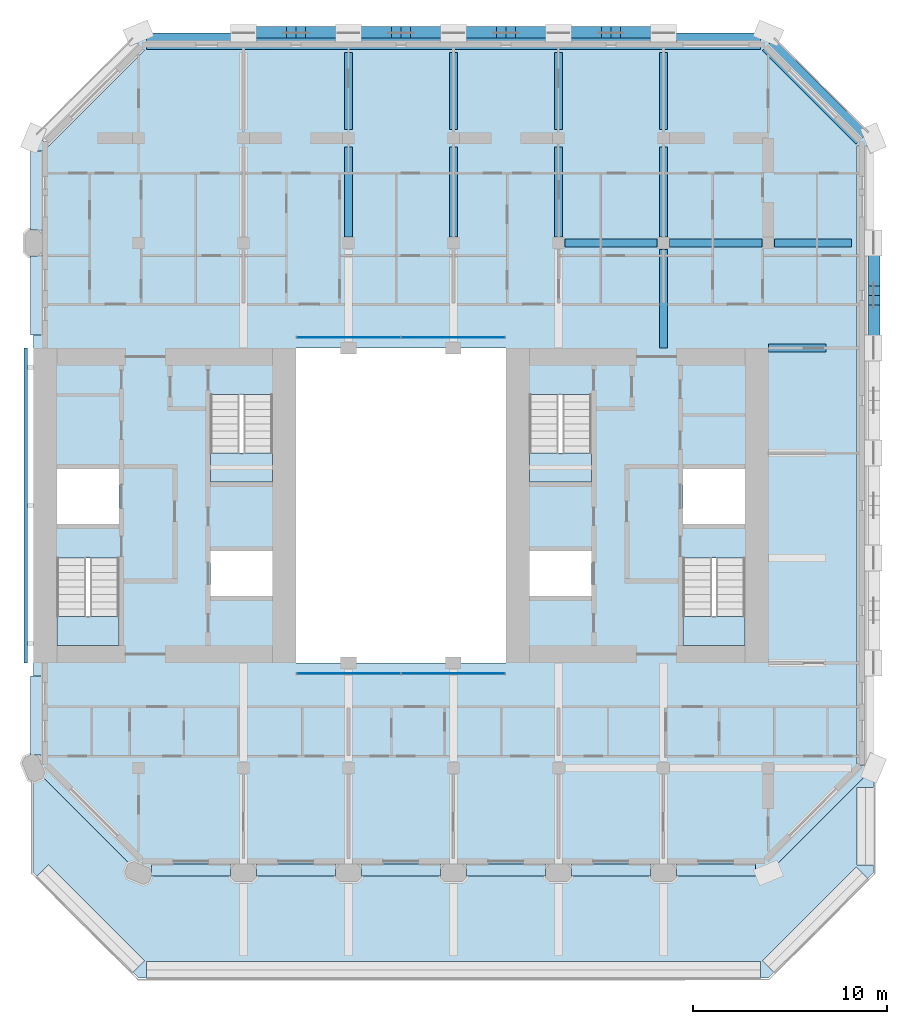
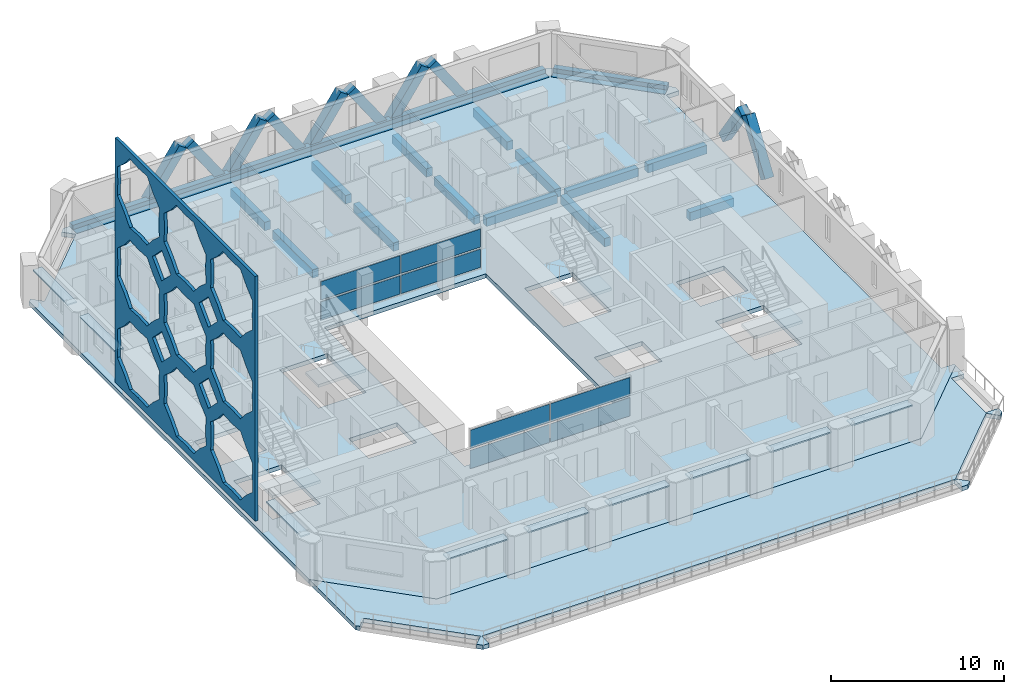
# One storey, part 7 of 17: 18 plates, 17 beams, 10 members, 6 slabs, 6 elements without a shape of their own.
"""IFC4 building model written with IfcOpenShell, lengths in metres."""

from ifc_helpers import new_model, si_unit, direction, frame, origin, origin_2d, place, context, subcontext, project, spatial, polyline, rectangle, outline, extrude, material, layer, layer_set, material_profile, profile_set, type_object, element, aggregate, save


model = new_model("IFC4")

# Units and contexts
model_context = context("Model", 3, precision=1e-05, world=origin(), true_north=direction((0.0, 1.0)))
body_context = subcontext(model_context, "Body", "Model", "MODEL_VIEW")
ifc_project = project(units=[si_unit("LENGTHUNIT", "METRE"), si_unit("AREAUNIT", "SQUARE_METRE"), si_unit("VOLUMEUNIT", "CUBIC_METRE"), si_unit("PLANEANGLEUNIT", "RADIAN"), si_unit("MASSUNIT", "GRAM", prefix="KILO")], contexts=[model_context])

# Site, building, storey
site_placement = place(None, origin())
site = spatial("IfcSite", under=ifc_project, at=site_placement, CompositionType="ELEMENT")
building_placement = place(site_placement, origin())
building = spatial("IfcBuilding", under=site, at=building_placement, Name="Tabaq Tower and Sports Hall", CompositionType="ELEMENT")
storey_placement = place(building_placement, frame((0.0, 0.0, 288.39990234375)))
storey = spatial("IfcBuildingStorey", under=building, at=storey_placement, Name="L71", CompositionType="ELEMENT", Elevation=288.39990234375)

# Beams
ifc_material_1 = material(Name="Concrete C40/50", Category="concrete")
ifc_material_profile_1 = material_profile(ifc_material_1, rectangle(XDim=0.39990234375, YDim=0.60009765625, at=origin_2d()), Name="CB 400x600")
ifc_profile_set_1 = profile_set([ifc_material_profile_1], Name="Concrete C40/50")
beam_type_1 = type_object("IfcBeamType", Name="PT CANTILEVER BEAM CB 400x600 C40/50", PredefinedType="BEAM", material=ifc_profile_set_1)
beam_1_placement = place(storey_placement, frame((46.14990234375, 32.39990234375, -0.599853515625), z_axis=(-1.0, 0.0, 0.0), x_axis=(0.0, -1.0, 0.0)))
element("IfcBeam", 1, at=beam_1_placement, inside=storey, type_object=beam_type_1, Name="Cantilever Beam L71 E6 span 1", PredefinedType="BEAM", context=body_context, shape_type="SweptSolid", body=[
    extrude(rectangle(XDim=0.39990234375, YDim=0.60009765625, at=origin_2d()), origin(), (0.0, 0.0, 1.0), 2.949951171875),
])
beam_2_placement = place(storey_placement, frame((47.47509765625, 37.800048828125, -0.599853515625), z_axis=(-1.0, 0.0, 0.0), x_axis=(0.0, -1.0, 0.0)))
element("IfcBeam", 2, at=beam_2_placement, inside=storey, type_object=beam_type_1, Name="Cantilever Beam L71 E7 span 1", PredefinedType="BEAM", context=body_context, shape_type="SweptSolid", body=[
    extrude(rectangle(XDim=0.39990234375, YDim=0.60009765625, at=origin_2d()), origin(), (0.0, 0.0, 1.0), 3.9501953125),
])
for number, where, z_axis, x_axis, name in (
    (3, (42.875, 37.800048828125, -0.599853515625), (-1.0, 0.0, 0.0), (0.0, -1.0, 0.0), "Cantilever Beam L71 E7 span 2"),
    (4, (37.47509765625, 37.800048828125, -0.599853515625), (-1.0, 0.0, 0.0), (0.0, -1.0, 0.0), "Cantilever Beam L71 E7 span 3"),
):
    element("IfcBeam", number, at=place(storey_placement, frame(where, z_axis=z_axis, x_axis=x_axis)), inside=storey, type_object=beam_type_1, Name=name, PredefinedType="BEAM", context=body_context, shape_type="SweptSolid", body=[
        extrude(rectangle(XDim=0.39990234375, YDim=0.60009765625, at=origin_2d()), origin(), (0.0, 0.0, 1.0), 4.75),
    ])
beam_3_placement = place(storey_placement, frame((21.60009765625, 47.60009765625, -0.599853515625), z_axis=(0.0, -1.0, 0.0), x_axis=(1.0, 0.0, 0.0)))
element("IfcBeam", 5, at=beam_3_placement, inside=storey, type_object=beam_type_1, Name="Cantilever Beam L71 N4 span 1", PredefinedType="BEAM", context=body_context, shape_type="SweptSolid", body=[
    extrude(rectangle(XDim=0.39990234375, YDim=0.60009765625, at=origin_2d()), origin(), (0.0, 0.0, 1.0), 3.9501953125),
])
beam_4_placement = place(storey_placement, frame((21.60009765625, 42.75, -0.599853515625), z_axis=(0.0, -1.0, 0.0), x_axis=(1.0, 0.0, 0.0)))
element("IfcBeam", 6, at=beam_4_placement, inside=storey, type_object=beam_type_1, Name="Cantilever Beam L71 N4 span 2", PredefinedType="BEAM", context=body_context, shape_type="SweptSolid", body=[
    extrude(rectangle(XDim=0.39990234375, YDim=0.60009765625, at=origin_2d()), origin(), (0.0, 0.0, 1.0), 4.625),
])
beam_5_placement = place(storey_placement, frame((27.0, 47.60009765625, -0.599853515625), z_axis=(0.0, -1.0, 0.0), x_axis=(1.0, 0.0, 0.0)))
element("IfcBeam", 7, at=beam_5_placement, inside=storey, type_object=beam_type_1, Name="Cantilever Beam L71 N5 span 1", PredefinedType="BEAM", context=body_context, shape_type="SweptSolid", body=[
    extrude(rectangle(XDim=0.39990234375, YDim=0.60009765625, at=origin_2d()), origin(), (0.0, 0.0, 1.0), 3.9501953125),
])
beam_6_placement = place(storey_placement, frame((27.0, 42.75, -0.599853515625), z_axis=(0.0, -1.0, 0.0), x_axis=(1.0, 0.0, 0.0)))
element("IfcBeam", 8, at=beam_6_placement, inside=storey, type_object=beam_type_1, Name="Cantilever Beam L71 N5 span 2", PredefinedType="BEAM", context=body_context, shape_type="SweptSolid", body=[
    extrude(rectangle(XDim=0.39990234375, YDim=0.60009765625, at=origin_2d()), origin(), (0.0, 0.0, 1.0), 4.625),
])
beam_7_placement = place(storey_placement, frame((32.39990234375, 47.60009765625, -0.599853515625), z_axis=(0.0, -1.0, 0.0), x_axis=(1.0, 0.0, 0.0)))
element("IfcBeam", 9, at=beam_7_placement, inside=storey, type_object=beam_type_1, Name="Cantilever Beam L71 N6 span 1", PredefinedType="BEAM", context=body_context, shape_type="SweptSolid", body=[
    extrude(rectangle(XDim=0.39990234375, YDim=0.60009765625, at=origin_2d()), origin(), (0.0, 0.0, 1.0), 3.9501953125),
])
beam_8_placement = place(storey_placement, frame((32.39990234375, 42.75, -0.599853515625), z_axis=(0.0, -1.0, 0.0), x_axis=(1.0, 0.0, 0.0)))
element("IfcBeam", 10, at=beam_8_placement, inside=storey, type_object=beam_type_1, Name="Cantilever Beam L71 N6 span 2", PredefinedType="BEAM", context=body_context, shape_type="SweptSolid", body=[
    extrude(rectangle(XDim=0.39990234375, YDim=0.60009765625, at=origin_2d()), origin(), (0.0, 0.0, 1.0), 4.625),
])
beam_9_placement = place(storey_placement, frame((37.800048828125, 47.60009765625, -0.599853515625), z_axis=(0.0, -1.0, 0.0), x_axis=(1.0, 0.0, 0.0)))
element("IfcBeam", 11, at=beam_9_placement, inside=storey, type_object=beam_type_1, Name="Cantilever Beam L71 N7 span 1", PredefinedType="BEAM", context=body_context, shape_type="SweptSolid", body=[
    extrude(rectangle(XDim=0.39990234375, YDim=0.60009765625, at=origin_2d()), origin(), (0.0, 0.0, 1.0), 3.9501953125),
])
beam_10_placement = place(storey_placement, frame((37.800048828125, 42.75, -0.599853515625), z_axis=(0.0, -1.0, 0.0), x_axis=(1.0, 0.0, 0.0)))
element("IfcBeam", 12, at=beam_10_placement, inside=storey, type_object=beam_type_1, Name="Cantilever Beam L71 N7 span 2", PredefinedType="BEAM", context=body_context, shape_type="SweptSolid", body=[
    extrude(rectangle(XDim=0.39990234375, YDim=0.60009765625, at=origin_2d()), origin(), (0.0, 0.0, 1.0), 4.625),
])
beam_11_placement = place(storey_placement, frame((37.800048828125, 37.47509765625, -0.599853515625), z_axis=(0.0, -1.0, 0.0), x_axis=(1.0, 0.0, 0.0)))
element("IfcBeam", 13, at=beam_11_placement, inside=storey, type_object=beam_type_1, Name="Cantilever Beam L71 N7 span 3", PredefinedType="BEAM", context=body_context, shape_type="SweptSolid", body=[
    extrude(rectangle(XDim=0.39990234375, YDim=0.60009765625, at=origin_2d()), origin(), (0.0, 0.0, 1.0), 5.0751953125),
])
ifc_material_2 = material(Name="Concrete C40/50", Category="concrete")
ifc_material_profile_2 = material_profile(ifc_material_2, rectangle(XDim=0.85009765625, YDim=0.300048828125, at=origin_2d()), Name="EB 850x300")
ifc_profile_set_2 = profile_set([ifc_material_profile_2], Name="Concrete C40/50")
beam_type_2 = type_object("IfcBeamType", Name="PT EDGE BEAM EB 850x300 C40/50", PredefinedType="SPANDREL", material=ifc_profile_set_2)
beam_12_placement = place(storey_placement, frame((48.01513671875, 43.183837890625, -0.14990234375), z_axis=(-0.707106781187, 0.707106781187, 0.0), x_axis=(-0.707106781187, -0.707106781187, 0.0)))
element("IfcBeam", 14, at=beam_12_placement, inside=storey, type_object=beam_type_2, Name="Edge Beam L71 2", PredefinedType="SPANDREL", context=body_context, shape_type="SweptSolid", body=[
    extrude(rectangle(XDim=0.85009765625, YDim=0.300048828125, at=origin_2d()), origin(), (0.0, 0.0, 1.0), 6.83251953125),
])
beam_13_placement = place(storey_placement, frame((42.7978515625, 48.175048828125, -0.14990234375), z_axis=(-1.0, 0.0, 0.0), x_axis=(0.0, -1.0, 0.0)))
element("IfcBeam", 15, at=beam_13_placement, inside=storey, type_object=beam_type_2, Name="Edge Beam L71 3", PredefinedType="SPANDREL", context=body_context, shape_type="SweptSolid", body=[
    extrude(rectangle(XDim=0.85009765625, YDim=0.300048828125, at=origin_2d()), origin(), (0.0, 0.0, 1.0), 31.595703125),
])
ifc_material_3 = material(Name="Concrete C40/50", Category="concrete")
ifc_material_profile_3 = material_profile(ifc_material_3, rectangle(XDim=0.39990234375, YDim=0.300048828125, at=origin_2d()), Name="EU 400x300")
ifc_profile_set_3 = profile_set([ifc_material_profile_3], Name="Concrete C40/50")
beam_type_3 = type_object("IfcBeamType", Name="PT EDGE UPSTAND EU 400x300 C40/50", PredefinedType="BEAM", material=ifc_profile_set_3)
beam_14_placement = place(storey_placement, frame((48.17431640625, 43.3427734375, 0.150146484375), z_axis=(-0.707106781187, 0.707106781187, 0.0), x_axis=(-0.707106781187, -0.707106781187, 0.0)))
element("IfcBeam", 16, at=beam_14_placement, inside=storey, type_object=beam_type_3, Name="Edge Upstand L71 2", PredefinedType="BEAM", context=body_context, shape_type="SweptSolid", body=[
    extrude(rectangle(XDim=0.39990234375, YDim=0.300048828125, at=origin_2d()), origin(), (0.0, 0.0, 1.0), 6.832763671875),
])
beam_15_placement = place(storey_placement, frame((42.7978515625, 48.39990234375, 0.150146484375), z_axis=(-1.0, 0.0, 0.0), x_axis=(0.0, -1.0, 0.0)))
element("IfcBeam", 17, at=beam_15_placement, inside=storey, type_object=beam_type_3, Name="Edge Upstand L71 3", PredefinedType="BEAM", context=body_context, shape_type="SweptSolid", body=[
    extrude(rectangle(XDim=0.39990234375, YDim=0.300048828125, at=origin_2d()), origin(), (0.0, 0.0, 1.0), 31.595703125),
])

# Members
ifc_material_4 = material(Name="Concrete C40/50", Category="concrete")
ifc_material_profile_4 = material_profile(ifc_material_4, rectangle(XDim=0.60009765625, YDim=0.60009765625, at=origin_2d()), Name="TRANSFER BAND BRACE 600x600")
ifc_profile_set_4 = profile_set([ifc_material_profile_4], Name="Concrete C40/50")
member_type = type_object("IfcMemberType", Name="RC TRANSFER BAND BRACE 600x600 C40/50", PredefinedType="BRACE", material=ifc_profile_set_4)
for number, where, z_axis, x_axis, name in (
    (18, (48.64990234375, 32.64990234375, -0.0498046875), (0.0, 0.566568844459, 0.824014407937), (-1.0, 0.0, 0.0), "Transfer Band Brace L71 East 7"),
    (19, (48.64990234375, 37.550048828125, -0.0498046875), (0.0, -0.56652615464, 0.824043758613), (1.0, 0.0, 0.0), "Transfer Band Brace L71 East 8"),
    (20, (16.449951171875, 48.64990234375, -0.0498046875), (0.56652615464, 0.0, 0.824043758613), (0.0, 1.0, 0.0), "Transfer Band Brace L71 North 9"),
    (21, (21.35009765625, 48.64990234375, -0.0498046875), (-0.566568844459, 0.0, 0.824014407937), (0.0, -1.0, 0.0), "Transfer Band Brace L71 North 10"),
    (22, (21.85009765625, 48.64990234375, -0.0498046875), (0.56652615464, 0.0, 0.824043758613), (0.0, 1.0, 0.0), "Transfer Band Brace L71 North 11"),
    (23, (26.75, 48.64990234375, -0.0498046875), (-0.56652615464, 0.0, 0.824043758613), (0.0, -1.0, 0.0), "Transfer Band Brace L71 North 12"),
    (24, (27.25, 48.64990234375, -0.0498046875), (0.56652615464, 0.0, 0.824043758613), (0.0, 1.0, 0.0), "Transfer Band Brace L71 North 13"),
    (25, (32.14990234375, 48.64990234375, -0.0498046875), (-0.56652615464, 0.0, 0.824043758613), (0.0, -1.0, 0.0), "Transfer Band Brace L71 North 14"),
    (26, (32.64990234375, 48.64990234375, -0.0498046875), (0.566568844459, 0.0, 0.824014407937), (0.0, 1.0, 0.0), "Transfer Band Brace L71 North 15"),
    (27, (37.550048828125, 48.64990234375, -0.0498046875), (-0.56652615464, 0.0, 0.824043758613), (0.0, -1.0, 0.0), "Transfer Band Brace L71 North 16"),
):
    element("IfcMember", number, at=place(storey_placement, frame(where, z_axis=z_axis, x_axis=x_axis)), inside=storey, type_object=member_type, Name=name, PredefinedType="BRACE", context=body_context, shape_type="SweptSolid", body=[
        extrude(rectangle(XDim=0.60009765625, YDim=0.60009765625, at=origin_2d()), origin(), (0.0, 0.0, 1.0), 3.88330078125),
    ])

# Curtain wall, plates
ifc_material_5 = material(Name="Aluminium alloy 6063-T6 framed glazing", Category="aluminium")
curtain_wall_type = type_object("IfcCurtainWallType", Name="CW1 curtain wall", PredefinedType="USERDEFINED", material=ifc_material_5)
curtain_wall_1_placement = place(storey_placement, origin())
curtain_wall_1 = element("IfcCurtainWall", 28, at=curtain_wall_1_placement, inside=storey, type_object=curtain_wall_type, Name="Atrium glazing L71 S", ObjectType="ATRIUM ENCLOSURE", PredefinedType="USERDEFINED")
ifc_material_6 = material(Name="Clear low-emissivity glass 28 mm", Category="glass")
ifc_layer_1 = layer(ifc_material_6, 0.028076171875)
ifc_layer_set_1 = layer_set([ifc_layer_1], Name="CW1 glass panel 28")
plate_type_1 = type_object("IfcPlateType", Name="CW1 glass panel 28", PredefinedType="CURTAIN_PANEL", material=ifc_layer_set_1)
plate_1_placement = place(storey_placement, frame((21.614990234375, 15.64990234375, 0.14013671875), z_axis=(0.0, 0.0, 1.0), x_axis=(1.0, 0.0, 0.0)))
plate_1 = element("IfcPlate", 29, at=plate_1_placement, type_object=plate_type_1, Name="CW1 panel 1.1", PredefinedType="CURTAIN_PANEL", context=body_context, shape_type="SweptSolid", body=[
    extrude(rectangle(XDim=5.31005859375, YDim=0.028076171875, at=origin_2d()), origin(), (0.0, 0.0, 1.0), 1.2900390625),
])
plate_2_placement = place(storey_placement, frame((21.614990234375, 15.64990234375, 1.570068359375), z_axis=(0.0, 0.0, 1.0), x_axis=(1.0, 0.0, 0.0)))
plate_2 = element("IfcPlate", 30, at=plate_2_placement, type_object=plate_type_1, Name="CW1 panel 1.2", PredefinedType="CURTAIN_PANEL", context=body_context, shape_type="SweptSolid", body=[
    extrude(rectangle(XDim=5.31005859375, YDim=0.028076171875, at=origin_2d()), origin(), (0.0, 0.0, 1.0), 1.2900390625),
])
plate_3_placement = place(storey_placement, frame((26.985107421875, 15.64990234375, 0.14013671875), z_axis=(0.0, 0.0, 1.0), x_axis=(1.0, 0.0, 0.0)))
plate_3 = element("IfcPlate", 31, at=plate_3_placement, type_object=plate_type_1, Name="CW1 panel 2.1", PredefinedType="CURTAIN_PANEL", context=body_context, shape_type="SweptSolid", body=[
    extrude(rectangle(XDim=5.31005859375, YDim=0.028076171875, at=origin_2d()), origin(), (0.0, 0.0, 1.0), 1.2900390625),
])
plate_4_placement = place(storey_placement, frame((26.985107421875, 15.64990234375, 1.570068359375), z_axis=(0.0, 0.0, 1.0), x_axis=(1.0, 0.0, 0.0)))
plate_4 = element("IfcPlate", 32, at=plate_4_placement, type_object=plate_type_1, Name="CW1 panel 2.2", PredefinedType="CURTAIN_PANEL", context=body_context, shape_type="SweptSolid", body=[
    extrude(rectangle(XDim=5.31005859375, YDim=0.028076171875, at=origin_2d()), origin(), (0.0, 0.0, 1.0), 1.2900390625),
])
aggregate(curtain_wall_1, [plate_1, plate_2, plate_3, plate_4])

curtain_wall_2_placement = place(storey_placement, origin())
curtain_wall_2 = element("IfcCurtainWall", 33, at=curtain_wall_2_placement, inside=storey, type_object=curtain_wall_type, Name="Atrium glazing L71 N", ObjectType="ATRIUM ENCLOSURE", PredefinedType="USERDEFINED")
plate_5_placement = place(storey_placement, frame((21.614990234375, 32.949951171875, 0.14013671875), z_axis=(0.0, 0.0, 1.0), x_axis=(1.0, 0.0, 0.0)))
plate_5 = element("IfcPlate", 34, at=plate_5_placement, type_object=plate_type_1, Name="CW1 panel 1.1", PredefinedType="CURTAIN_PANEL", context=body_context, shape_type="SweptSolid", body=[
    extrude(rectangle(XDim=5.31005859375, YDim=0.028076171875, at=origin_2d()), origin(), (0.0, 0.0, 1.0), 1.2900390625),
])
plate_6_placement = place(storey_placement, frame((21.614990234375, 32.949951171875, 1.570068359375), z_axis=(0.0, 0.0, 1.0), x_axis=(1.0, 0.0, 0.0)))
plate_6 = element("IfcPlate", 35, at=plate_6_placement, type_object=plate_type_1, Name="CW1 panel 1.2", PredefinedType="CURTAIN_PANEL", context=body_context, shape_type="SweptSolid", body=[
    extrude(rectangle(XDim=5.31005859375, YDim=0.028076171875, at=origin_2d()), origin(), (0.0, 0.0, 1.0), 1.2900390625),
])
plate_7_placement = place(storey_placement, frame((26.985107421875, 32.949951171875, 0.14013671875), z_axis=(0.0, 0.0, 1.0), x_axis=(1.0, 0.0, 0.0)))
plate_7 = element("IfcPlate", 36, at=plate_7_placement, type_object=plate_type_1, Name="CW1 panel 2.1", PredefinedType="CURTAIN_PANEL", context=body_context, shape_type="SweptSolid", body=[
    extrude(rectangle(XDim=5.31005859375, YDim=0.028076171875, at=origin_2d()), origin(), (0.0, 0.0, 1.0), 1.2900390625),
])
plate_8_placement = place(storey_placement, frame((26.985107421875, 32.949951171875, 1.570068359375), z_axis=(0.0, 0.0, 1.0), x_axis=(1.0, 0.0, 0.0)))
plate_8 = element("IfcPlate", 37, at=plate_8_placement, type_object=plate_type_1, Name="CW1 panel 2.2", PredefinedType="CURTAIN_PANEL", context=body_context, shape_type="SweptSolid", body=[
    extrude(rectangle(XDim=5.31005859375, YDim=0.028076171875, at=origin_2d()), origin(), (0.0, 0.0, 1.0), 1.2900390625),
])
aggregate(curtain_wall_2, [plate_5, plate_6, plate_7, plate_8])

# Stair, slab
ifc_material_7 = material(Name="Concrete C40/50", Category="concrete")
stair_type = type_object("IfcStairType", Name="Exit stair", PredefinedType="HALF_TURN_STAIR", material=ifc_material_7)
stair_1_placement = place(storey_placement, origin())
stair_1 = element("IfcStair", 38, at=stair_1_placement, inside=storey, type_object=stair_type, Name="L71 Exit stair ST1", PredefinedType="HALF_TURN_STAIR")
ifc_material_8 = material(Name="Concrete C40/50", Category="concrete")
ifc_layer_2 = layer(ifc_material_8, 0.199951171875)
ifc_layer_set_2 = layer_set([ifc_layer_2], Name="Exit stair landing")
slab_type_1 = type_object("IfcSlabType", Name="Exit stair landing", PredefinedType="LANDING", material=ifc_layer_set_2)
slab_1_placement = place(storey_placement, frame((0.0, 0.0, 1.4501953125)))
slab_1 = element("IfcSlab", 39, at=slab_1_placement, type_object=slab_type_1, Name="ST1 landing 1", PredefinedType="LANDING", context=body_context, shape_type="SweptSolid", body=[
    extrude(outline(polyline([(6.60009765625, 18.60009765625), (6.60009765625, 17.10009765625), (9.800048828125, 17.10009765625), (9.800048828125, 18.60009765625), (6.60009765625, 18.60009765625)])), origin(), (0.0, 0.0, 1.0), 0.199951171875),
])
aggregate(stair_1, [slab_1])

stair_2_placement = place(storey_placement, origin())
stair_2 = element("IfcStair", 40, at=stair_2_placement, inside=storey, type_object=stair_type, Name="L71 Exit stair ST2", PredefinedType="HALF_TURN_STAIR")
slab_2_placement = place(storey_placement, frame((0.0, 0.0, 1.4501953125)))
slab_2 = element("IfcSlab", 41, at=slab_2_placement, type_object=slab_type_1, Name="ST2 landing 1", PredefinedType="LANDING", context=body_context, shape_type="SweptSolid", body=[
    extrude(outline(polyline([(14.5, 27.0), (14.5, 25.5), (17.699951171875, 25.5), (17.699951171875, 27.0), (14.5, 27.0)])), origin(), (0.0, 0.0, 1.0), 0.199951171875),
])
aggregate(stair_2, [slab_2])

stair_3_placement = place(storey_placement, origin())
stair_3 = element("IfcStair", 42, at=stair_3_placement, inside=storey, type_object=stair_type, Name="L71 Exit stair ST3", PredefinedType="HALF_TURN_STAIR")
slab_3_placement = place(storey_placement, frame((0.0, 0.0, 1.4501953125)))
slab_3 = element("IfcSlab", 43, at=slab_3_placement, type_object=slab_type_1, Name="ST3 landing 1", PredefinedType="LANDING", context=body_context, shape_type="SweptSolid", body=[
    extrude(outline(polyline([(38.800048828125, 18.60009765625), (38.800048828125, 17.10009765625), (42.0, 17.10009765625), (42.0, 18.60009765625), (38.800048828125, 18.60009765625)])), origin(), (0.0, 0.0, 1.0), 0.199951171875),
])
aggregate(stair_3, [slab_3])

stair_4_placement = place(storey_placement, origin())
stair_4 = element("IfcStair", 44, at=stair_4_placement, inside=storey, type_object=stair_type, Name="L71 Exit stair ST4", PredefinedType="HALF_TURN_STAIR")
slab_4_placement = place(storey_placement, frame((0.0, 0.0, 1.4501953125)))
slab_4 = element("IfcSlab", 45, at=slab_4_placement, type_object=slab_type_1, Name="ST4 landing 1", PredefinedType="LANDING", context=body_context, shape_type="SweptSolid", body=[
    extrude(outline(polyline([(30.89990234375, 27.0), (30.89990234375, 25.5), (34.10009765625, 25.5), (34.10009765625, 27.0), (30.89990234375, 27.0)])), origin(), (0.0, 0.0, 1.0), 0.199951171875),
])
aggregate(stair_4, [slab_4])

# Slabs
ifc_material_9 = material(Name="Concrete C40/50", Category="concrete")
ifc_layer_3 = layer(ifc_material_9, 0.300048828125)
ifc_layer_set_3 = layer_set([ifc_layer_3], Name="PT FLOOR SLAB 300 C40/50")
slab_type_2 = type_object("IfcSlabType", Name="PT FLOOR SLAB 300 C40/50", PredefinedType="FLOOR", material=ifc_layer_set_3)
slab_5_placement = place(storey_placement, frame((0.0, 0.0, -0.2998046875)))
element("IfcSlab", 46, at=slab_5_placement, inside=storey, type_object=slab_type_2, Name="Floor Slab L71", PredefinedType="FLOOR", context=body_context, shape_type="SweptSolid", body=[
    extrude(outline(polyline([(5.39990234375, 43.199951171875), (5.39990234375, 10.800048828125), (10.800048828125, 5.39990234375), (43.199951171875, 5.39990234375), (48.60009765625, 10.800048828125), (48.60009765625, 10.9619140625), (47.85009765625, 10.9619140625), (47.75, 10.9619140625), (47.75, 42.7978515625), (47.85009765625, 42.7978515625), (48.60009765625, 42.7978515625), (48.60009765625, 43.199951171875), (48.315673828125, 43.484375), (47.785400390625, 42.9541015625), (47.714599609375, 42.88330078125), (42.88330078125, 47.714599609375), (42.9541015625, 47.785400390625), (43.484375, 48.315673828125), (43.199951171875, 48.60009765625), (42.7978515625, 48.60009765625), (42.7978515625, 47.85009765625), (42.7978515625, 47.75), (11.2021484375, 47.75), (11.2021484375, 47.85009765625), (11.2021484375, 48.60009765625), (10.800048828125, 48.60009765625), (10.515625, 48.315673828125), (11.0458984375, 47.785400390625), (11.0458984375, 47.785400390625), (11.11669921875, 47.714599609375), (6.177734375, 42.775634765625), (5.57666015625, 43.376708984375), (5.39990234375, 43.199951171875)]), holes=[polyline([(6.60009765625, 21.599365234375), (9.800048828125, 21.599365234375), (9.800048828125, 17.10009765625), (6.60009765625, 17.10009765625), (6.60009765625, 21.599365234375)]), polyline([(38.800048828125, 21.599365234375), (42.0, 21.599365234375), (42.0, 17.10009765625), (38.800048828125, 17.10009765625), (38.800048828125, 21.599365234375)]), polyline([(14.5, 21.949951171875), (17.699951171875, 21.949951171875), (17.699951171875, 19.64990234375), (14.5, 19.64990234375), (14.5, 21.949951171875)]), polyline([(30.89990234375, 21.949951171875), (34.10009765625, 21.949951171875), (34.10009765625, 19.64990234375), (30.89990234375, 19.64990234375), (30.89990234375, 21.949951171875)]), polyline([(18.89990234375, 16.199951171875), (18.89990234375, 32.39990234375), (29.699951171875, 32.39990234375), (29.699951171875, 16.199951171875), (18.89990234375, 16.199951171875)]), polyline([(6.60009765625, 26.175048828125), (9.800048828125, 26.175048828125), (9.800048828125, 23.35009765625), (6.60009765625, 23.35009765625), (6.60009765625, 26.175048828125)]), polyline([(38.800048828125, 26.175048828125), (42.0, 26.175048828125), (42.0, 23.35009765625), (38.800048828125, 23.35009765625), (38.800048828125, 26.175048828125)]), polyline([(17.699951171875, 29.99951171875), (17.699951171875, 25.5), (14.5, 25.5), (14.5, 29.99951171875), (17.699951171875, 29.99951171875)]), polyline([(34.10009765625, 29.99951171875), (34.10009765625, 25.5), (30.89990234375, 25.5), (30.89990234375, 29.99951171875), (34.10009765625, 29.99951171875)])]), origin(), (0.0, 0.0, 1.0), 0.2998046875),
])
ifc_material_10 = material(Name="Concrete C40/50", Category="concrete")
ifc_layer_4 = layer(ifc_material_10, 0.300048828125)
ifc_layer_set_4 = layer_set([ifc_layer_4], Name="PT TERRACE SLAB 300 C40/50")
slab_type_3 = type_object("IfcSlabType", Name="PT TERRACE SLAB 300 C40/50", PredefinedType="FLOOR", material=ifc_layer_set_4)
slab_6_placement = place(storey_placement, frame((0.0, 0.0, -0.2998046875)))
element("IfcSlab", 47, at=slab_6_placement, inside=storey, type_object=slab_type_3, Name="Terrace Slab L71", PredefinedType="FLOOR", context=body_context, shape_type="SweptSolid", body=[
    extrude(outline(polyline([(42.7978515625, 0.0), (43.199951171875, 0.0), (43.484375, 0.284423828125), (42.88330078125, 0.88525390625), (47.714599609375, 5.716796875), (47.785400390625, 5.64599609375), (48.315673828125, 5.11572265625), (48.60009765625, 5.39990234375), (48.60009765625, 5.802001953125), (47.85009765625, 5.802001953125), (47.75, 5.802001953125), (47.75, 9.7880859375), (47.85009765625, 9.7880859375), (48.60009765625, 9.7880859375), (48.60009765625, 10.800048828125), (43.199951171875, 5.39990234375), (10.800048828125, 5.39990234375), (5.39990234375, 10.800048828125), (5.39990234375, 5.39990234375), (5.57666015625, 5.22314453125), (6.107177734375, 5.753662109375), (6.177734375, 5.82421875), (11.11669921875, 0.88525390625), (11.0458984375, 0.814697265625), (10.515625, 0.284423828125), (10.800048828125, 0.0), (11.2021484375, 0.0), (11.2021484375, 0.75), (11.2021484375, 0.85009765625), (42.7978515625, 0.85009765625), (42.7978515625, 0.75), (42.7978515625, 0.0)])), origin(), (0.0, 0.0, 1.0), 0.2998046875),
])

# Plates
ifc_material_11 = material(Name="White precast concrete C60/75 pierced screen", Category="concrete")
ifc_layer_5 = layer(ifc_material_11, 0.199951171875)
ifc_layer_set_5 = layer_set([ifc_layer_5], Name="White precast concrete C60/75 girih screen 200")
plate_type_2 = type_object("IfcPlateType", Name="White precast concrete C60/75 girih screen 200", PredefinedType="USERDEFINED", material=ifc_layer_set_5)
plate_9_placement = place(storey_placement, frame((5.0, 32.39990234375, 1.0), z_axis=(0.0, 0.0, 1.0), x_axis=(0.0, -1.0, 0.0)))
element("IfcPlate", 48, at=plate_9_placement, inside=storey, type_object=plate_type_2, Name="Girih screen R2 W", ObjectType="SCREEN", PredefinedType="USERDEFINED", context=body_context, shape_type="SweptSolid", body=[
    extrude(outline(polyline([(0.0, 0.0), (16.199951171875, 0.0), (16.199951171875, 17.300048828125), (0.0, 17.300048828125), (0.0, 0.0)]), holes=[polyline([(5.134521484375, 3.92529296875), (4.376953125, 4.59375), (3.70849609375, 5.351318359375), (2.699951171875, 5.288330078125), (1.691650390625, 5.351318359375), (1.02294921875, 4.59375), (0.265380859375, 3.92529296875), (0.328369140625, 2.916748046875), (0.265380859375, 1.908203125), (1.02294921875, 1.23974609375), (1.691650390625, 0.482177734375), (2.699951171875, 0.545166015625), (3.70849609375, 0.482177734375), (4.376953125, 1.23974609375), (5.134521484375, 1.908203125), (5.07177734375, 2.916748046875), (5.134521484375, 3.92529296875)]), polyline([(5.134521484375, 9.658447265625), (4.376953125, 10.3271484375), (3.70849609375, 11.084716796875), (2.699951171875, 11.021728515625), (1.691650390625, 11.084716796875), (1.02294921875, 10.3271484375), (0.265380859375, 9.658447265625), (0.328369140625, 8.650146484375), (0.265380859375, 7.6416015625), (1.02294921875, 6.97314453125), (1.691650390625, 6.215576171875), (2.699951171875, 6.2783203125), (3.70849609375, 6.215576171875), (4.376953125, 6.97314453125), (5.134521484375, 7.6416015625), (5.07177734375, 8.650146484375), (5.134521484375, 9.658447265625)]), polyline([(5.134521484375, 15.391845703125), (4.376953125, 16.060546875), (3.70849609375, 16.818115234375), (2.699951171875, 16.755126953125), (1.691650390625, 16.818115234375), (1.02294921875, 16.060546875), (0.265380859375, 15.391845703125), (0.328369140625, 14.383544921875), (0.265380859375, 13.375), (1.02294921875, 12.706298828125), (1.691650390625, 11.94873046875), (2.699951171875, 12.01171875), (3.70849609375, 11.94873046875), (4.376953125, 12.706298828125), (5.134521484375, 13.375), (5.07177734375, 14.383544921875), (5.134521484375, 15.391845703125)]), polyline([(10.53466796875, 3.92529296875), (9.777099609375, 4.59375), (9.1083984375, 5.351318359375), (8.10009765625, 5.288330078125), (7.091552734375, 5.351318359375), (6.4228515625, 4.59375), (5.665283203125, 3.92529296875), (5.728271484375, 2.916748046875), (5.665283203125, 1.908203125), (6.4228515625, 1.23974609375), (7.091552734375, 0.482177734375), (8.10009765625, 0.545166015625), (9.1083984375, 0.482177734375), (9.777099609375, 1.23974609375), (10.53466796875, 1.908203125), (10.4716796875, 2.916748046875), (10.53466796875, 3.92529296875)]), polyline([(10.53466796875, 9.658447265625), (9.777099609375, 10.3271484375), (9.1083984375, 11.084716796875), (8.10009765625, 11.021728515625), (7.091552734375, 11.084716796875), (6.4228515625, 10.3271484375), (5.665283203125, 9.658447265625), (5.728271484375, 8.650146484375), (5.665283203125, 7.6416015625), (6.4228515625, 6.97314453125), (7.091552734375, 6.215576171875), (8.10009765625, 6.2783203125), (9.1083984375, 6.215576171875), (9.777099609375, 6.97314453125), (10.53466796875, 7.6416015625), (10.4716796875, 8.650146484375), (10.53466796875, 9.658447265625)]), polyline([(10.53466796875, 15.391845703125), (9.777099609375, 16.060546875), (9.1083984375, 16.818115234375), (8.10009765625, 16.755126953125), (7.091552734375, 16.818115234375), (6.4228515625, 16.060546875), (5.665283203125, 15.391845703125), (5.728271484375, 14.383544921875), (5.665283203125, 13.375), (6.4228515625, 12.706298828125), (7.091552734375, 11.94873046875), (8.10009765625, 12.01171875), (9.1083984375, 11.94873046875), (9.777099609375, 12.706298828125), (10.53466796875, 13.375), (10.4716796875, 14.383544921875), (10.53466796875, 15.391845703125)]), polyline([(15.9345703125, 3.92529296875), (15.177001953125, 4.59375), (14.508544921875, 5.351318359375), (13.5, 5.288330078125), (12.491455078125, 5.351318359375), (11.822998046875, 4.59375), (11.0654296875, 3.92529296875), (11.12841796875, 2.916748046875), (11.0654296875, 1.908203125), (11.822998046875, 1.23974609375), (12.491455078125, 0.482177734375), (13.5, 0.545166015625), (14.508544921875, 0.482177734375), (15.177001953125, 1.23974609375), (15.9345703125, 1.908203125), (15.87158203125, 2.916748046875), (15.9345703125, 3.92529296875)]), polyline([(15.9345703125, 9.658447265625), (15.177001953125, 10.3271484375), (14.508544921875, 11.084716796875), (13.5, 11.021728515625), (12.491455078125, 11.084716796875), (11.822998046875, 10.3271484375), (11.0654296875, 9.658447265625), (11.12841796875, 8.650146484375), (11.0654296875, 7.6416015625), (11.822998046875, 6.97314453125), (12.491455078125, 6.215576171875), (13.5, 6.2783203125), (14.508544921875, 6.215576171875), (15.177001953125, 6.97314453125), (15.9345703125, 7.6416015625), (15.87158203125, 8.650146484375), (15.9345703125, 9.658447265625)]), polyline([(15.9345703125, 15.391845703125), (15.177001953125, 16.060546875), (14.508544921875, 16.818115234375), (13.5, 16.755126953125), (12.491455078125, 16.818115234375), (11.822998046875, 16.060546875), (11.0654296875, 15.391845703125), (11.12841796875, 14.383544921875), (11.0654296875, 13.375), (11.822998046875, 12.706298828125), (12.491455078125, 11.94873046875), (13.5, 12.01171875), (14.508544921875, 11.94873046875), (15.177001953125, 12.706298828125), (15.9345703125, 13.375), (15.87158203125, 14.383544921875), (15.9345703125, 15.391845703125)]), polyline([(6.47998046875, 5.783447265625), (5.39990234375, 6.863525390625), (4.320068359375, 5.783447265625), (5.39990234375, 4.703369140625), (6.47998046875, 5.783447265625)]), polyline([(6.47998046875, 11.516845703125), (5.39990234375, 12.5966796875), (4.320068359375, 11.516845703125), (5.39990234375, 10.436767578125), (6.47998046875, 11.516845703125)]), polyline([(11.8798828125, 5.783447265625), (10.800048828125, 6.863525390625), (9.719970703125, 5.783447265625), (10.800048828125, 4.703369140625), (11.8798828125, 5.783447265625)]), polyline([(11.8798828125, 11.516845703125), (10.800048828125, 12.5966796875), (9.719970703125, 11.516845703125), (10.800048828125, 10.436767578125), (11.8798828125, 11.516845703125)])]), frame((0.0, 0.10009765625, 0.0), z_axis=(0.0, -1.0, 0.0), x_axis=(1.0, 0.0, 0.0)), (0.0, 0.0, 1.0), 0.199951171875),
])
ifc_material_12 = material(Name="White precast concrete C60/75 blade", Category="concrete")
ifc_layer_6 = layer(ifc_material_12, 0.10009765625)
ifc_layer_set_6 = layer_set([ifc_layer_6], Name="White precast concrete C60/75 sunshade 100")
plate_type_3 = type_object("IfcPlateType", Name="White precast concrete C60/75 sunshade 100", PredefinedType="USERDEFINED", material=ifc_layer_set_6)
for number, where, z_axis, x_axis, name in (
    (49, (13.5, 5.550048828125, 2.60009765625), (0.0, 0.0, 1.0), (1.0, 0.0, 0.0), "Sunshade L71 S"),
    (50, (18.89990234375, 5.550048828125, 2.60009765625), (0.0, 0.0, 1.0), (1.0, 0.0, 0.0), "Sunshade L71 S"),
    (51, (24.300048828125, 5.550048828125, 2.60009765625), (0.0, 0.0, 1.0), (1.0, 0.0, 0.0), "Sunshade L71 S"),
    (52, (29.699951171875, 5.550048828125, 2.60009765625), (0.0, 0.0, 1.0), (1.0, 0.0, 0.0), "Sunshade L71 S"),
    (53, (35.10009765625, 5.550048828125, 2.60009765625), (0.0, 0.0, 1.0), (1.0, 0.0, 0.0), "Sunshade L71 S"),
    (54, (40.5, 5.550048828125, 2.60009765625), (0.0, 0.0, 1.0), (1.0, 0.0, 0.0), "Sunshade L71 S"),
    (55, (5.550048828125, 40.5, 2.60009765625), (0.0, 0.0, 1.0), (0.0, -1.0, 0.0), "Sunshade L71 W"),
    (56, (5.550048828125, 35.10009765625, 2.60009765625), (0.0, 0.0, 1.0), (0.0, -1.0, 0.0), "Sunshade L71 W"),
    (57, (5.550048828125, 13.5, 2.60009765625), (0.0, 0.0, 1.0), (0.0, -1.0, 0.0), "Sunshade L71 W"),
):
    element("IfcPlate", number, at=place(storey_placement, frame(where, z_axis=z_axis, x_axis=x_axis)), inside=storey, type_object=plate_type_3, Name=name, ObjectType="SUNSHADE", PredefinedType="USERDEFINED", context=body_context, shape_type="SweptSolid", body=[
        extrude(rectangle(XDim=4.050048828125, YDim=0.60009765625, at=origin_2d()), origin(), (0.0, 0.0, 1.0), 0.10009765625),
    ])

save(model, "model.ifc")
